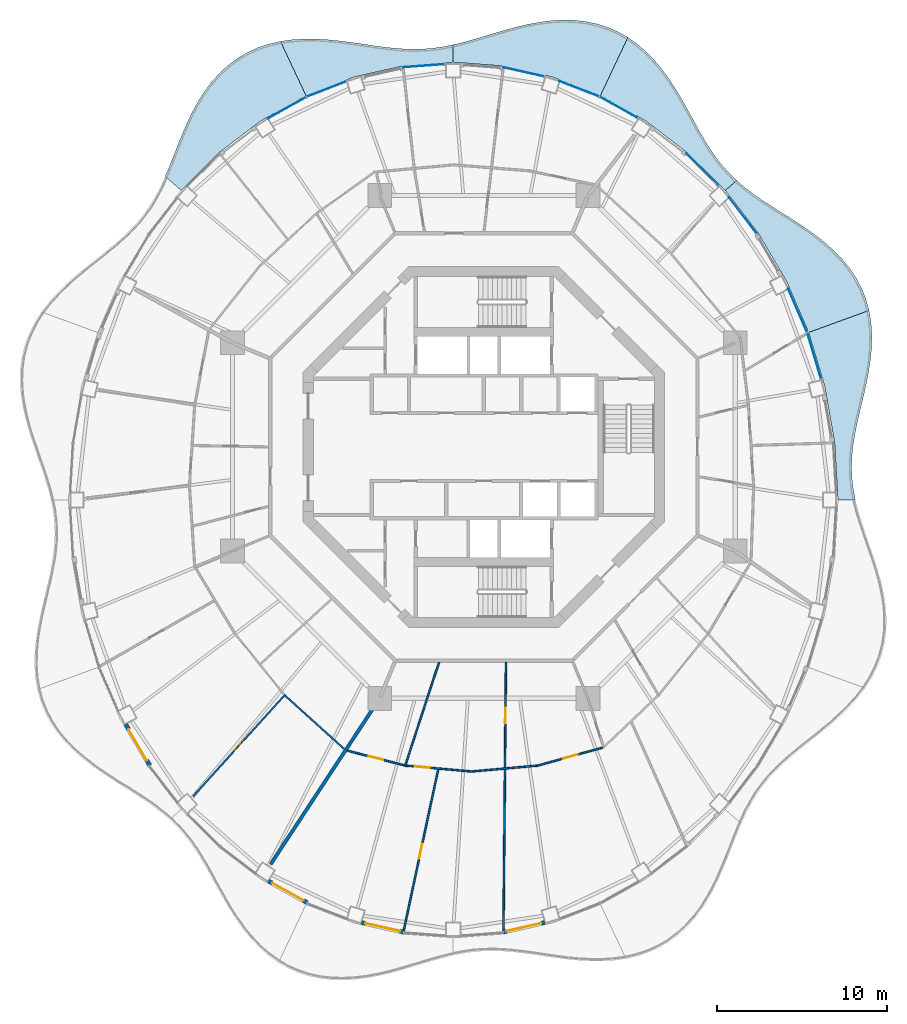
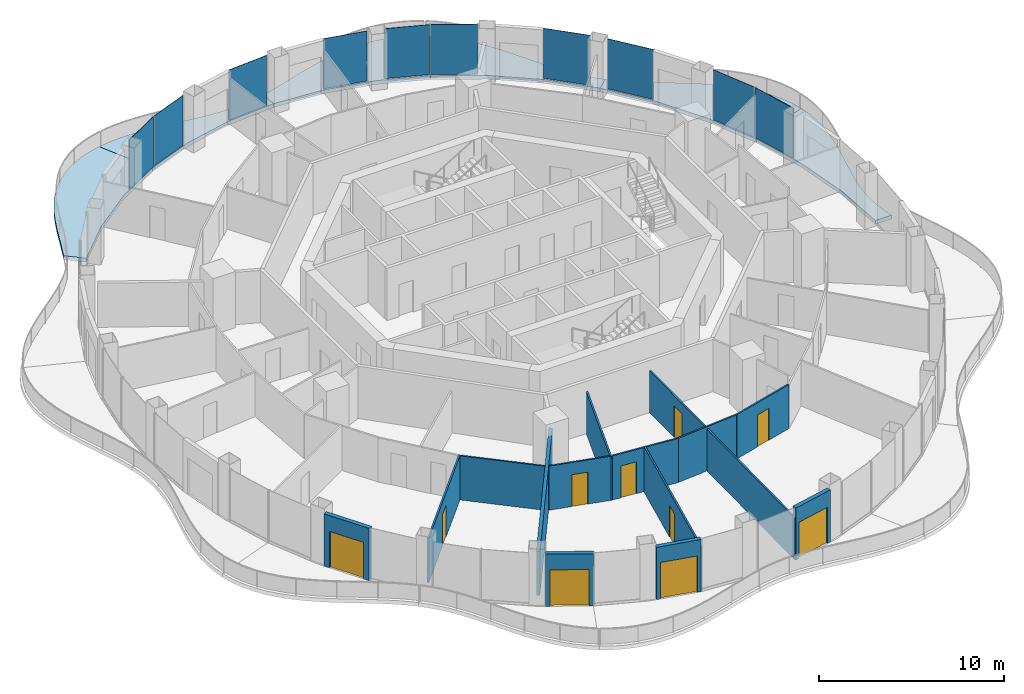
# One storey, part 9 of 17: 14 walls, 10 doors, 10 plates, 6 slabs, 10 openings, 10 elements without a shape of their own.
"""IFC4 building model written with IfcOpenShell, lengths in metres."""

from ifc_helpers import new_model, si_unit, direction, frame, frame_2d, origin, origin_2d, place, context, subcontext, project, spatial, polyline, rectangle, outline, extrude, material, layer, layer_set, type_object, element, fill, aggregate, save


model = new_model("IFC4")

# Units and contexts
model_context = context("Model", 3, precision=1e-05, world=origin(), true_north=direction((0.0, 1.0)))
body_context = subcontext(model_context, "Body", "Model", "MODEL_VIEW")
ifc_project = project(units=[si_unit("LENGTHUNIT", "METRE"), si_unit("AREAUNIT", "SQUARE_METRE"), si_unit("VOLUMEUNIT", "CUBIC_METRE"), si_unit("PLANEANGLEUNIT", "RADIAN"), si_unit("MASSUNIT", "GRAM", prefix="KILO")], contexts=[model_context])

# Site, building, storey
site_placement = place(None, origin())
site = spatial("IfcSite", under=ifc_project, at=site_placement, CompositionType="ELEMENT")
building_placement = place(site_placement, origin())
building = spatial("IfcBuilding", under=site, at=building_placement, Name="Nagisa Residences", CompositionType="ELEMENT")
storey_placement = place(building_placement, frame((0.0, 0.0, 265.89990234375)))
storey = spatial("IfcBuildingStorey", under=building, at=storey_placement, Name="L67", CompositionType="ELEMENT", Elevation=265.89990234375)

# Slabs
ifc_material_1 = material(Name="Concrete C40/50", Category="concrete")
ifc_layer_1 = layer(ifc_material_1, 0.25)
ifc_layer_set_1 = layer_set([ifc_layer_1], Name="BALCONY SLAB 250")
slab_type = type_object("IfcSlabType", Name="BALCONY SLAB 250", PredefinedType="FLOOR", material=ifc_layer_set_1)
slab_1_placement = place(storey_placement, frame((0.0, 0.0, -0.25)))
element("IfcSlab", 1, at=slab_1_placement, inside=storey, type_object=slab_type, Name="slab:L67:bal00", PredefinedType="FLOOR", context=body_context, shape_type="SweptSolid", body=[
    extrude(outline(polyline([(21.845458984375, -3.11767578125), (21.721923828125, -2.47021484375), (21.646240234375, -1.8251953125), (21.62109375, -1.178955078125), (21.6455078125, -0.52783203125), (21.716064453125, 0.1318359375), (21.82666015625, 0.802734375), (21.968505859375, 1.487060546875), (22.130615234375, 2.185791015625), (22.301025390625, 2.898681640625), (22.466552734375, 3.624267578125), (22.613525390625, 4.359619140625), (22.728515625, 5.101318359375), (22.799560546875, 5.844482421875), (22.815673828125, 6.58349609375), (22.767822265625, 7.3125), (22.6494140625, 8.025146484375), (19.09814453125, 6.732666015625), (20.04931640625, 3.544189453125), (20.62646484375, 0.241943359375), (20.820068359375, -3.11767578125), (21.845458984375, -3.11767578125)])), origin(), (0.0, 0.0, 1.0), 0.25),
])
slab_2_placement = place(storey_placement, frame((0.0, 0.0, -0.25)))
element("IfcSlab", 2, at=slab_2_placement, inside=storey, type_object=slab_type, Name="slab:L67:bal01", PredefinedType="FLOOR", context=body_context, shape_type="SweptSolid", body=[
    extrude(outline(polyline([(22.6494140625, 8.025146484375), (22.463623046875, 8.695068359375), (22.20703125, 9.33935546875), (21.880615234375, 9.9541015625), (21.48876953125, 10.5361328125), (21.036865234375, 11.083740234375), (20.533203125, 11.5966796875), (19.987060546875, 12.075927734375), (19.408935546875, 12.524169921875), (18.81005859375, 12.945068359375), (18.201171875, 13.34423828125), (17.593505859375, 13.72802734375), (16.996826171875, 14.103271484375), (16.419677734375, 14.477783203125), (15.86865234375, 14.859130859375), (15.348876953125, 15.254638671875), (14.86328125, 15.670654296875), (14.19482421875, 15.083251953125), (16.145751953125, 12.5517578125), (17.78955078125, 9.752197265625), (19.09814453125, 6.732666015625), (22.6494140625, 8.025146484375)])), origin(), (0.0, 0.0, 1.0), 0.25),
])
slab_3_placement = place(storey_placement, frame((0.0, 0.0, -0.25)))
element("IfcSlab", 3, at=slab_3_placement, inside=storey, type_object=slab_type, Name="slab:L67:bal02", PredefinedType="FLOOR", context=body_context, shape_type="SweptSolid", body=[
    extrude(outline(polyline([(14.86328125, 15.670654296875), (14.432373046875, 16.09130859375), (14.031494140625, 16.53955078125), (13.65771484375, 17.016845703125), (13.306396484375, 17.52392578125), (12.9716796875, 18.059814453125), (12.64697265625, 18.621337890625), (12.324951171875, 19.204345703125), (11.99755859375, 19.80224609375), (11.657958984375, 20.40771484375), (11.298583984375, 21.01220703125), (10.913330078125, 21.606201171875), (10.497314453125, 22.18017578125), (10.04638671875, 22.723876953125), (9.558349609375, 23.227783203125), (9.031982421875, 23.683349609375), (8.46826171875, 24.0830078125), (6.856201171875, 20.6630859375), (9.510009765625, 19.173828125), (11.97021484375, 17.30322265625), (14.19482421875, 15.083251953125), (14.86328125, 15.670654296875)])), origin(), (0.0, 0.0, 1.0), 0.25),
])
slab_4_placement = place(storey_placement, frame((0.0, 0.0, -0.25)))
element("IfcSlab", 4, at=slab_4_placement, inside=storey, type_object=slab_type, Name="slab:L67:bal03", PredefinedType="FLOOR", context=body_context, shape_type="SweptSolid", body=[
    extrude(outline(polyline([(8.46826171875, 24.0830078125), (7.8916015625, 24.40966796875), (7.28515625, 24.6748046875), (6.653076171875, 24.8759765625), (6.000244140625, 25.01318359375), (5.33154296875, 25.087890625), (4.65283203125, 25.103271484375), (3.969482421875, 25.064697265625), (3.28662109375, 24.978759765625), (2.608642578125, 24.85302734375), (1.93994140625, 24.69677734375), (1.28271484375, 24.51953125), (0.63916015625, 24.330810546875), (0.010009765625, 24.140625), (-0.605224609375, 23.958251953125), (-1.207763671875, 23.79150390625), (-1.800048828125, 23.64794921875), (-1.800048828125, 22.622314453125), (1.152587890625, 22.402099609375), (4.054443359375, 21.745361328125), (6.856201171875, 20.6630859375), (8.46826171875, 24.0830078125)])), origin(), (0.0, 0.0, 1.0), 0.25),
])
slab_5_placement = place(storey_placement, frame((0.0, 0.0, -0.25)))
element("IfcSlab", 5, at=slab_5_placement, inside=storey, type_object=slab_type, Name="slab:L67:bal04", PredefinedType="FLOOR", context=body_context, shape_type="SweptSolid", body=[
    extrude(outline(polyline([(-1.800048828125, 23.64794921875), (-2.385009765625, 23.53271484375), (-2.96630859375, 23.4501953125), (-3.547607421875, 23.40185546875), (-4.1328125, 23.387939453125), (-4.725341796875, 23.406494140625), (-5.32861328125, 23.45361328125), (-5.94482421875, 23.524169921875), (-6.5751953125, 23.611328125), (-7.220458984375, 23.70654296875), (-7.8798828125, 23.80126953125), (-8.551513671875, 23.885986328125), (-9.232421875, 23.951416015625), (-9.918701171875, 23.988525390625), (-10.60546875, 23.988525390625), (-11.287353515625, 23.9443359375), (-11.958251953125, 23.849609375), (-10.456298828125, 20.6630859375), (-7.654541015625, 21.745361328125), (-4.75244140625, 22.402099609375), (-1.800048828125, 22.622314453125), (-1.800048828125, 23.64794921875)])), origin(), (0.0, 0.0, 1.0), 0.25),
])
slab_6_placement = place(storey_placement, frame((0.0, 0.0, -0.25)))
element("IfcSlab", 6, at=slab_6_placement, inside=storey, type_object=slab_type, Name="slab:L67:bal05", PredefinedType="FLOOR", context=body_context, shape_type="SweptSolid", body=[
    extrude(outline(polyline([(-11.958251953125, 23.849609375), (-12.63671875, 23.69287109375), (-13.29052734375, 23.47314453125), (-13.913818359375, 23.189208984375), (-14.50146484375, 22.841552734375), (-15.048828125, 22.43310546875), (-15.5537109375, 21.968017578125), (-16.0146484375, 21.45263671875), (-16.43212890625, 20.89404296875), (-16.807861328125, 20.30078125), (-17.145751953125, 19.681396484375), (-17.450927734375, 19.045654296875), (-17.7294921875, 18.402099609375), (-17.98876953125, 17.75927734375), (-18.237060546875, 17.125244140625), (-18.482177734375, 16.506103515625), (-18.732666015625, 15.907470703125), (-17.794677734375, 15.083251953125), (-15.570068359375, 17.30322265625), (-13.110107421875, 19.173828125), (-10.456298828125, 20.6630859375), (-11.958251953125, 23.849609375)])), origin(), (0.0, 0.0, 1.0), 0.25),
])

# Curtain wall, plate
ifc_material_2 = material(Name="Concrete-coloured aluminium curtain wall system", Category="concrete")
ifc_layer_2 = layer(ifc_material_2, 0.159912109375)
ifc_layer_set_2 = layer_set([ifc_layer_2], Name="CW1 CURTAIN WALL")
curtain_wall_type = type_object("IfcCurtainWallType", Name="CW1 CURTAIN WALL", PredefinedType="NOTDEFINED", material=ifc_layer_set_2)
curtain_wall_1_placement = place(storey_placement, origin())
curtain_wall_1 = element("IfcCurtainWall", 7, at=curtain_wall_1_placement, inside=storey, type_object=curtain_wall_type, Name="cw:CW1:L67:02", PredefinedType="NOTDEFINED")
ifc_material_3 = material(Name="Clear laminated glass", Category="glass")
ifc_layer_3 = layer(ifc_material_3, 0.028076171875)
ifc_layer_set_3 = layer_set([ifc_layer_3], Name="CW1 GLASS PANEL")
plate_type = type_object("IfcPlateType", Name="CW1 GLASS PANEL", PredefinedType="CURTAIN_PANEL", material=ifc_layer_set_3)
plate_1_placement = place(storey_placement, frame((19.424072265625, 5.35986328125, 0.150146484375), z_axis=(0.0, 0.0, 1.0), x_axis=(-0.285860274038, 0.958271310082, 0.0)))
plate_1 = element("IfcPlate", 8, at=plate_1_placement, type_object=plate_type, Name="CW1 panel", PredefinedType="CURTAIN_PANEL", context=body_context, shape_type="SweptSolid", body=[
    extrude(rectangle(XDim=2.817138671875, YDim=0.028076171875, at=origin_2d()), origin(), (0.0, 0.0, 1.0), 3.2900390625),
])
aggregate(curtain_wall_1, [plate_1])

curtain_wall_2_placement = place(storey_placement, origin())
curtain_wall_2 = element("IfcCurtainWall", 9, at=curtain_wall_2_placement, inside=storey, type_object=curtain_wall_type, Name="cw:CW1:L67:03", PredefinedType="NOTDEFINED")
plate_2_placement = place(storey_placement, frame((18.447998046875, 8.03173828125, 0.150146484375), z_axis=(0.0, 0.0, 1.0), x_axis=(-0.397635934147, 0.917543276295, 0.0)))
plate_2 = element("IfcPlate", 10, at=plate_2_placement, type_object=plate_type, Name="CW1 panel", PredefinedType="CURTAIN_PANEL", context=body_context, shape_type="SweptSolid", body=[
    extrude(rectangle(XDim=2.781005859375, YDim=0.028076171875, at=origin_2d()), origin(), (0.0, 0.0, 1.0), 3.2900390625),
])
aggregate(curtain_wall_2, [plate_2])

curtain_wall_3_placement = place(storey_placement, origin())
curtain_wall_3 = element("IfcCurtainWall", 11, at=curtain_wall_3_placement, inside=storey, type_object=curtain_wall_type, Name="cw:CW1:L67:05", PredefinedType="NOTDEFINED")
plate_3_placement = place(storey_placement, frame((15.225830078125, 13.6142578125, 0.150146484375), z_axis=(0.0, 0.0, 1.0), x_axis=(-0.610429828235, 0.792070340816, 0.0)))
plate_3 = element("IfcPlate", 12, at=plate_3_placement, type_object=plate_type, Name="CW1 panel", PredefinedType="CURTAIN_PANEL", context=body_context, shape_type="SweptSolid", body=[
    extrude(rectangle(XDim=2.68603515625, YDim=0.028076171875, at=origin_2d()), origin(), (0.0, 0.0, 1.0), 3.2900390625),
])
aggregate(curtain_wall_3, [plate_3])

curtain_wall_4_placement = place(storey_placement, origin())
curtain_wall_4 = element("IfcCurtainWall", 13, at=curtain_wall_4_placement, inside=storey, type_object=curtain_wall_type, Name="cw:CW1:L67:06", PredefinedType="NOTDEFINED")
plate_4_placement = place(storey_placement, frame((12.845458984375, 16.316650390625, 0.150146484375), z_axis=(0.0, 0.0, 1.0), x_axis=(-0.707835924016, 0.706376885714, 0.0)))
plate_4 = element("IfcPlate", 14, at=plate_4_placement, type_object=plate_type, Name="CW1 panel", PredefinedType="CURTAIN_PANEL", context=body_context, shape_type="SweptSolid", body=[
    extrude(rectangle(XDim=2.6328125, YDim=0.028076171875, at=origin_2d()), origin(), (0.0, 0.0, 1.0), 3.2900390625),
])
aggregate(curtain_wall_4, [plate_4])

curtain_wall_5_placement = place(storey_placement, origin())
curtain_wall_5 = element("IfcCurtainWall", 15, at=curtain_wall_5_placement, inside=storey, type_object=curtain_wall_type, Name="cw:CW1:L67:08", PredefinedType="NOTDEFINED")
plate_5_placement = place(storey_placement, frame((7.921630859375, 19.973388671875, 0.150146484375), z_axis=(0.0, 0.0, 1.0), x_axis=(-0.872072377523, 0.489376918501, 0.0)))
plate_5 = element("IfcPlate", 16, at=plate_5_placement, type_object=plate_type, Name="CW1 panel", PredefinedType="CURTAIN_PANEL", context=body_context, shape_type="SweptSolid", body=[
    extrude(rectangle(XDim=2.532958984375, YDim=0.028076171875, at=origin_2d()), origin(), (0.0, 0.0, 1.0), 3.2900390625),
])
aggregate(curtain_wall_5, [plate_5])

curtain_wall_6_placement = place(storey_placement, origin())
curtain_wall_6 = element("IfcCurtainWall", 17, at=curtain_wall_6_placement, inside=storey, type_object=curtain_wall_type, Name="cw:CW1:L67:09", PredefinedType="NOTDEFINED")
plate_6_placement = place(storey_placement, frame((5.6083984375, 21.059326171875, 0.150146484375), z_axis=(0.0, 0.0, 1.0), x_axis=(-0.932825759707, 0.360327770268, 0.0)))
plate_6 = element("IfcPlate", 18, at=plate_6_placement, type_object=plate_type, Name="CW1 panel", PredefinedType="CURTAIN_PANEL", context=body_context, shape_type="SweptSolid", body=[
    extrude(rectangle(XDim=2.49365234375, YDim=0.028076171875, at=origin_2d()), origin(), (0.0, 0.0, 1.0), 3.2900390625),
])
aggregate(curtain_wall_6, [plate_6])

curtain_wall_7_placement = place(storey_placement, origin())
curtain_wall_7 = element("IfcCurtainWall", 19, at=curtain_wall_7_placement, inside=storey, type_object=curtain_wall_type, Name="cw:CW1:L67:10", PredefinedType="NOTDEFINED")
plate_7_placement = place(storey_placement, frame((2.337158203125, 22.052001953125, 0.150146484375), z_axis=(0.0, 0.0, 1.0), x_axis=(-0.975327274089, 0.2207639201, 0.0)))
plate_7 = element("IfcPlate", 20, at=plate_7_placement, type_object=plate_type, Name="CW1 panel", PredefinedType="CURTAIN_PANEL", context=body_context, shape_type="SweptSolid", body=[
    extrude(rectangle(XDim=2.46533203125, YDim=0.028076171875, at=origin_2d()), origin(), (0.0, 0.0, 1.0), 3.2900390625),
])
aggregate(curtain_wall_7, [plate_7])

curtain_wall_8_placement = place(storey_placement, origin())
curtain_wall_8 = element("IfcCurtainWall", 21, at=curtain_wall_8_placement, inside=storey, type_object=curtain_wall_type, Name="cw:CW1:L67:12", PredefinedType="NOTDEFINED")
plate_8_placement = place(storey_placement, frame((-3.524658203125, 22.41357421875, 0.150146484375), z_axis=(0.0, 0.0, 1.0), x_axis=(-0.997230168512, -0.074377355493, 0.0)))
plate_8 = element("IfcPlate", 22, at=plate_8_placement, type_object=plate_type, Name="CW1 panel", PredefinedType="CURTAIN_PANEL", context=body_context, shape_type="SweptSolid", body=[
    extrude(rectangle(XDim=2.45068359375, YDim=0.028076171875, at=origin_2d()), origin(), (0.0, 0.0, 1.0), 3.2900390625),
])
aggregate(curtain_wall_8, [plate_8])

curtain_wall_9_placement = place(storey_placement, origin())
curtain_wall_9 = element("IfcCurtainWall", 23, at=curtain_wall_9_placement, inside=storey, type_object=curtain_wall_type, Name="cw:CW1:L67:14", PredefinedType="NOTDEFINED")
plate_9_placement = place(storey_placement, frame((-9.264404296875, 21.03759765625, 0.150146484375), z_axis=(0.0, 0.0, 1.0), x_axis=(-0.932825759707, -0.360327770268, 0.0)))
plate_9 = element("IfcPlate", 24, at=plate_9_placement, type_object=plate_type, Name="CW1 panel", PredefinedType="CURTAIN_PANEL", context=body_context, shape_type="SweptSolid", body=[
    extrude(rectangle(XDim=2.49365234375, YDim=0.028076171875, at=origin_2d()), origin(), (0.0, 0.0, 1.0), 3.2900390625),
])
aggregate(curtain_wall_9, [plate_9])

curtain_wall_10_placement = place(storey_placement, origin())
curtain_wall_10 = element("IfcCurtainWall", 25, at=curtain_wall_10_placement, inside=storey, type_object=curtain_wall_type, Name="cw:CW1:L67:15", PredefinedType="NOTDEFINED")
plate_10_placement = place(storey_placement, frame((-11.573974609375, 19.944091796875, 0.150146484375), z_axis=(0.0, 0.0, 1.0), x_axis=(-0.872072377523, -0.489376918501, 0.0)))
plate_10 = element("IfcPlate", 26, at=plate_10_placement, type_object=plate_type, Name="CW1 panel", PredefinedType="CURTAIN_PANEL", context=body_context, shape_type="SweptSolid", body=[
    extrude(rectangle(XDim=2.532958984375, YDim=0.028076171875, at=origin_2d()), origin(), (0.0, 0.0, 1.0), 3.2900390625),
])
aggregate(curtain_wall_10, [plate_10])

# Wall
ifc_material_4 = material(Name="Gypsum board on steel studs", Category="steel")
ifc_layer_4 = layer(ifc_material_4, 0.199951171875)
ifc_layer_set_4 = layer_set([ifc_layer_4], Name="Apartment compartment wall EI60 200")
wall_type_1 = type_object("IfcWallType", Name="Apartment compartment wall EI60 200", PredefinedType="PARTITIONING", material=ifc_layer_set_4)
wall_1_placement = place(storey_placement, frame((-6.150634765625, -14.82373046875, 0.0), z_axis=(0.0, 0.0, 1.0), x_axis=(-0.549345577828, -0.835595258556, 0.0)))
element("IfcWall", 27, at=wall_1_placement, inside=storey, type_object=wall_type_1, Name="wall:L67:u05", PredefinedType="PARTITIONING", context=body_context, shape_type="SweptSolid", body=[
    extrude(rectangle(XDim=11.619873046875, YDim=0.199951171875, at=frame_2d((5.81005859375, 0.0))), origin(), (0.0, 0.0, 1.0), 2.905029296875),
])

# Wall, opening, door
ifc_material_5 = material(Name="Gypsum board on steel studs", Category="steel")
ifc_layer_5 = layer(ifc_material_5, 0.10009765625)
ifc_layer_set_5 = layer_set([ifc_layer_5], Name="Apartment partition 100")
wall_type_2 = type_object("IfcWallType", Name="Apartment partition 100", PredefinedType="PARTITIONING", material=ifc_layer_set_5)
wall_2_placement = place(storey_placement, frame((-11.67919921875, -14.55712890625, 0.0), z_axis=(0.0, 0.0, 1.0), x_axis=(-0.670800011545, -0.741638284146, 0.0)))
wall_2 = element("IfcWall", 28, at=wall_2_placement, inside=storey, type_object=wall_type_2, Name="wall:L67:u52", PredefinedType="PARTITIONING", context=body_context, shape_type="SweptSolid", body=[
    extrude(rectangle(XDim=8.068115234375, YDim=0.10009765625, at=frame_2d((4.0341796875, 0.0))), origin(), (0.0, 0.0, 1.0), 2.905029296875),
])
opening_1_placement = place(wall_2_placement, frame((3.609130859375, 0.0, 0.0)))
opening_1 = element("IfcOpeningElement", 29, at=opening_1_placement, cuts=wall_2, Name="Opening L67-U25", PredefinedType="OPENING", context=body_context, shape_type="SweptSolid", body=[
    extrude(rectangle(XDim=0.89990234375, YDim=2.10009765625, at=frame_2d((0.449951171875, 1.050048828125))), frame((0.0, 0.06005859375, 0.0), z_axis=(0.0, -1.0, 0.0), x_axis=(1.0, 0.0, 0.0)), (0.0, 0.0, 1.0), 0.1201171875),
])
ifc_material_6 = material(Name="Timber door set", Category="wood")
door_type_1 = type_object("IfcDoorType", Name="Apartment door 900x2100", OperationType="NOTDEFINED", PredefinedType="DOOR", material=ifc_material_6)
door_1_placement = place(opening_1_placement, origin())
door_1 = element("IfcDoor", 30, at=door_1_placement, inside=storey, type_object=door_type_1, Name="Door to master bedroom, Apartment 67C", OperationType="SINGLE_SWING_LEFT", OverallHeight=2.10009765625, OverallWidth=0.89990234375, PredefinedType="DOOR", context=body_context, shape_type="SweptSolid", body=[
    extrude(rectangle(XDim=0.89990234375, YDim=2.10009765625, at=frame_2d((0.449951171875, 1.050048828125))), frame((0.0, 0.02490234375, 0.0), z_axis=(0.0, -1.0, 0.0), x_axis=(1.0, 0.0, 0.0)), (0.0, 0.0, 1.0), 0.050048828125),
])
fill(opening_1, door_1)

# Wall
wall_3_placement = place(storey_placement, frame((-11.675537109375, -14.627685546875, 0.0), z_axis=(0.0, 0.0, 1.0), x_axis=(0.74245829867, -0.669892285921, 0.0)))
element("IfcWall", 31, at=wall_3_placement, inside=storey, type_object=wall_type_2, Name="wall:L67:u53", PredefinedType="PARTITIONING", context=body_context, shape_type="SweptSolid", body=[
    extrude(rectangle(XDim=4.679931640625, YDim=0.10009765625, at=frame_2d((2.33984375, 0.0))), origin(), (0.0, 0.0, 1.0), 2.905029296875),
])

# Wall, opening, door
wall_4_placement = place(storey_placement, frame((-8.02978515625, -17.8544921875, 0.0), z_axis=(0.0, 0.0, 1.0), x_axis=(0.968441967324, -0.249239154077, 0.0)))
wall_4 = element("IfcWall", 32, at=wall_4_placement, inside=storey, type_object=wall_type_2, Name="wall:L67:u54", PredefinedType="PARTITIONING", context=body_context, shape_type="SweptSolid", body=[
    extrude(rectangle(XDim=3.467529296875, YDim=0.10009765625, at=frame_2d((1.73388671875, 0.0))), origin(), (0.0, 0.0, 1.0), 2.905029296875),
])
opening_2_placement = place(wall_4_placement, frame((1.28369140625, 0.0, 0.0)))
opening_2 = element("IfcOpeningElement", 33, at=opening_2_placement, cuts=wall_4, Name="Opening L67-U38", PredefinedType="OPENING", context=body_context, shape_type="SweptSolid", body=[
    extrude(rectangle(XDim=0.89990234375, YDim=2.10009765625, at=frame_2d((0.449951171875, 1.050048828125))), frame((0.0, 0.06005859375, 0.0), z_axis=(0.0, -1.0, 0.0), x_axis=(1.0, 0.0, 0.0)), (0.0, 0.0, 1.0), 0.1201171875),
])
door_2_placement = place(opening_2_placement, origin())
door_2 = element("IfcDoor", 34, at=door_2_placement, inside=storey, type_object=door_type_1, Name="Door to laundry, Apartment 67D", OperationType="SINGLE_SWING_RIGHT", OverallHeight=2.10009765625, OverallWidth=0.89990234375, PredefinedType="DOOR", context=body_context, shape_type="SweptSolid", body=[
    extrude(rectangle(XDim=0.89990234375, YDim=2.10009765625, at=frame_2d((0.449951171875, 1.050048828125))), frame((0.0, 0.02490234375, 0.0), z_axis=(0.0, -1.0, 0.0), x_axis=(1.0, 0.0, 0.0)), (0.0, 0.0, 1.0), 0.050048828125),
])
fill(opening_2, door_2)

# Wall
wall_5_placement = place(storey_placement, frame((-2.63330078125, -12.65966796875, 0.0), z_axis=(0.0, 0.0, 1.0), x_axis=(-0.311435053715, -0.950267439891, 0.0)))
element("IfcWall", 35, at=wall_5_placement, inside=storey, type_object=wall_type_2, Name="wall:L67:u55", PredefinedType="PARTITIONING", context=body_context, shape_type="SweptSolid", body=[
    extrude(rectangle(XDim=6.439208984375, YDim=0.10009765625, at=frame_2d((3.2197265625, 0.0))), origin(), (0.0, 0.0, 1.0), 2.76220703125),
])

# Wall, opening, door
wall_6_placement = place(storey_placement, frame((-4.5732421875, -18.735595703125, 0.0), z_axis=(0.0, 0.0, 1.0), x_axis=(0.995984610732, -0.089524606594, 0.0)))
wall_6 = element("IfcWall", 36, at=wall_6_placement, inside=storey, type_object=wall_type_2, Name="wall:L67:u56", PredefinedType="PARTITIONING", context=body_context, shape_type="SweptSolid", body=[
    extrude(rectangle(XDim=3.918701171875, YDim=0.10009765625, at=frame_2d((1.95947265625, 0.0))), origin(), (0.0, 0.0, 1.0), 2.905029296875),
])
opening_3_placement = place(wall_6_placement, frame((0.504638671875, 0.0, 0.0)))
opening_3 = element("IfcOpeningElement", 37, at=opening_3_placement, cuts=wall_6, Name="Opening L67-U36", PredefinedType="OPENING", context=body_context, shape_type="SweptSolid", body=[
    extrude(rectangle(XDim=0.89990234375, YDim=2.10009765625, at=frame_2d((0.449951171875, 1.050048828125))), frame((0.0, 0.06005859375, 0.0), z_axis=(0.0, -1.0, 0.0), x_axis=(1.0, 0.0, 0.0)), (0.0, 0.0, 1.0), 0.1201171875),
])
door_3_placement = place(opening_3_placement, frame((0.89990234375, 0.0, 0.0), x_axis=(-1.0, 0.0, 0.0)))
door_3 = element("IfcDoor", 38, at=door_3_placement, inside=storey, type_object=door_type_1, Name="Door to living room, Apartment 67D", OperationType="SINGLE_SWING_LEFT", OverallHeight=2.10009765625, OverallWidth=0.89990234375, PredefinedType="DOOR", context=body_context, shape_type="SweptSolid", body=[
    extrude(rectangle(XDim=0.89990234375, YDim=2.10009765625, at=frame_2d((0.449951171875, 1.050048828125))), frame((0.0, 0.02490234375, 0.0), z_axis=(0.0, -1.0, 0.0), x_axis=(1.0, 0.0, 0.0)), (0.0, 0.0, 1.0), 0.050048828125),
])
fill(opening_3, door_3)

wall_7_placement = place(storey_placement, frame((-2.68212890625, -18.955322265625, 0.0), z_axis=(0.0, 0.0, 1.0), x_axis=(-0.209106370979, -0.977892900892, 0.0)))
wall_7 = element("IfcWall", 39, at=wall_7_placement, inside=storey, type_object=wall_type_2, Name="wall:L67:u57", PredefinedType="PARTITIONING", context=body_context, shape_type="SweptSolid", body=[
    extrude(rectangle(XDim=9.861083984375, YDim=0.10009765625, at=frame_2d((4.9306640625, 0.0))), origin(), (0.0, 0.0, 1.0), 2.983154296875),
])
opening_4_placement = place(wall_7_placement, frame((4.48046875, 0.0, 0.0)))
opening_4 = element("IfcOpeningElement", 40, at=opening_4_placement, cuts=wall_7, Name="Opening L67-U37", PredefinedType="OPENING", context=body_context, shape_type="SweptSolid", body=[
    extrude(rectangle(XDim=0.89990234375, YDim=2.10009765625, at=frame_2d((0.449951171875, 1.050048828125))), frame((0.0, 0.06005859375, 0.0), z_axis=(0.0, -1.0, 0.0), x_axis=(1.0, 0.0, 0.0)), (0.0, 0.0, 1.0), 0.1201171875),
])
door_4_placement = place(opening_4_placement, origin())
door_4 = element("IfcDoor", 41, at=door_4_placement, inside=storey, type_object=door_type_1, Name="Door to master bedroom, Apartment 67D", OperationType="SINGLE_SWING_LEFT", OverallHeight=2.10009765625, OverallWidth=0.89990234375, PredefinedType="DOOR", context=body_context, shape_type="SweptSolid", body=[
    extrude(rectangle(XDim=0.89990234375, YDim=2.10009765625, at=frame_2d((0.449951171875, 1.050048828125))), frame((0.0, 0.02490234375, 0.0), z_axis=(0.0, -1.0, 0.0), x_axis=(1.0, 0.0, 0.0)), (0.0, 0.0, 1.0), 0.050048828125),
])
fill(opening_4, door_4)

# Wall
wall_8_placement = place(storey_placement, frame((-0.670166015625, -19.077392578125, 0.0), z_axis=(0.0, 0.0, 1.0), x_axis=(0.995986472869, 0.089503887414, 0.0)))
element("IfcWall", 42, at=wall_8_placement, inside=storey, type_object=wall_type_2, Name="wall:L67:u58", PredefinedType="PARTITIONING", context=body_context, shape_type="SweptSolid", body=[
    extrude(rectangle(XDim=3.81884765625, YDim=0.10009765625, at=frame_2d((1.909423828125, 0.0))), origin(), (0.0, 0.0, 1.0), 2.905029296875),
])

# Wall, opening, door
wall_9_placement = place(storey_placement, frame((1.30029296875, -12.664794921875, 0.0), z_axis=(0.0, 0.0, 1.0), x_axis=(-0.009254890166, -0.999957172587, 0.0)))
wall_9 = element("IfcWall", 43, at=wall_9_placement, inside=storey, type_object=wall_type_2, Name="wall:L67:u59", PredefinedType="PARTITIONING", context=body_context, shape_type="SweptSolid", body=[
    extrude(rectangle(XDim=15.933349609375, YDim=0.10009765625, at=frame_2d((7.966796875, 0.0))), origin(), (0.0, 0.0, 1.0), 2.76220703125),
])
opening_5_placement = place(wall_9_placement, frame((2.671142578125, 0.0, 0.0)))
opening_5 = element("IfcOpeningElement", 44, at=opening_5_placement, cuts=wall_9, Name="Opening L67-U35", PredefinedType="OPENING", context=body_context, shape_type="SweptSolid", body=[
    extrude(rectangle(XDim=0.89990234375, YDim=2.10009765625, at=frame_2d((0.449951171875, 1.050048828125))), frame((0.0, 0.06005859375, 0.0), z_axis=(0.0, -1.0, 0.0), x_axis=(1.0, 0.0, 0.0)), (0.0, 0.0, 1.0), 0.1201171875),
])
door_5_placement = place(opening_5_placement, frame((0.89990234375, 0.0, 0.0), x_axis=(-1.0, 0.0, 0.0)))
door_5 = element("IfcDoor", 45, at=door_5_placement, inside=storey, type_object=door_type_1, Name="Door to store, Apartment 67D", OperationType="SINGLE_SWING_RIGHT", OverallHeight=2.10009765625, OverallWidth=0.89990234375, PredefinedType="DOOR", context=body_context, shape_type="SweptSolid", body=[
    extrude(rectangle(XDim=0.89990234375, YDim=2.10009765625, at=frame_2d((0.449951171875, 1.050048828125))), frame((0.0, 0.02490234375, 0.0), z_axis=(0.0, -1.0, 0.0), x_axis=(1.0, 0.0, 0.0)), (0.0, 0.0, 1.0), 0.050048828125),
])
fill(opening_5, door_5)

wall_10_placement = place(storey_placement, frame((3.135009765625, -18.744384765625, 0.0), z_axis=(0.0, 0.0, 1.0), x_axis=(0.963606111552, 0.267326133738, 0.0)))
wall_10 = element("IfcWall", 46, at=wall_10_placement, inside=storey, type_object=wall_type_2, Name="wall:L67:u60", PredefinedType="PARTITIONING", context=body_context, shape_type="SweptSolid", body=[
    extrude(rectangle(XDim=4.0029296875, YDim=0.10009765625, at=frame_2d((2.00146484375, 0.0))), origin(), (0.0, 0.0, 1.0), 2.905029296875),
])
opening_6_placement = place(wall_10_placement, frame((1.576416015625, 0.0, 0.0)))
opening_6 = element("IfcOpeningElement", 47, at=opening_6_placement, cuts=wall_10, Name="Opening L67-U34", PredefinedType="OPENING", context=body_context, shape_type="SweptSolid", body=[
    extrude(rectangle(XDim=0.89990234375, YDim=2.10009765625, at=frame_2d((0.449951171875, 1.050048828125))), frame((0.0, 0.06005859375, 0.0), z_axis=(0.0, -1.0, 0.0), x_axis=(1.0, 0.0, 0.0)), (0.0, 0.0, 1.0), 0.1201171875),
])
door_6_placement = place(opening_6_placement, frame((0.89990234375, 0.0, 0.0), x_axis=(-1.0, 0.0, 0.0)))
door_6 = element("IfcDoor", 48, at=door_6_placement, inside=storey, type_object=door_type_1, Name="Door to family room, Apartment 67D", OperationType="SINGLE_SWING_LEFT", OverallHeight=2.10009765625, OverallWidth=0.89990234375, PredefinedType="DOOR", context=body_context, shape_type="SweptSolid", body=[
    extrude(rectangle(XDim=0.89990234375, YDim=2.10009765625, at=frame_2d((0.449951171875, 1.050048828125))), frame((0.0, 0.02490234375, 0.0), z_axis=(0.0, -1.0, 0.0), x_axis=(1.0, 0.0, 0.0)), (0.0, 0.0, 1.0), 0.050048828125),
])
fill(opening_6, door_6)

ifc_material_7 = material(Name="Precast concrete C40/50", Category="concrete")
ifc_layer_6 = layer(ifc_material_7, 0.25)
ifc_layer_set_6 = layer_set([ifc_layer_6], Name="BALCONY DOOR WALL 250")
wall_type_3 = type_object("IfcWallType", Name="BALCONY DOOR WALL 250", PredefinedType="SOLIDWALL", material=ifc_layer_set_6)
wall_11_placement = place(storey_placement, frame((-19.637939453125, -18.723876953125, 0.0), z_axis=(0.0, 0.0, 1.0), x_axis=(-0.506371364425, 0.862315511452, 0.0)))
wall_11 = element("IfcWall", 49, at=wall_11_placement, inside=storey, type_object=wall_type_3, Name="wall:L67:bay28", PredefinedType="SOLIDWALL", context=body_context, shape_type="SweptSolid", body=[
    extrude(rectangle(XDim=2.79638671875, YDim=0.25, at=frame_2d((1.398193359375, 0.0))), origin(), (0.0, 0.0, 1.0), 3.440185546875),
])
opening_7_placement = place(wall_11_placement, frame((0.34814453125, 0.0, 0.0)))
opening_7 = element("IfcOpeningElement", 50, at=opening_7_placement, cuts=wall_11, Name="Opening BD-L67-10", PredefinedType="OPENING", context=body_context, shape_type="SweptSolid", body=[
    extrude(rectangle(XDim=2.10009765625, YDim=2.39990234375, at=frame_2d((1.050048828125, 1.199951171875))), frame((0.0, 0.135009765625, 0.0), z_axis=(0.0, -1.0, 0.0), x_axis=(1.0, 0.0, 0.0)), (0.0, 0.0, 1.0), 0.27001953125),
])
ifc_material_8 = material(Name="Aluminium and clear glass", Category="aluminium")
door_type_2 = type_object("IfcDoorType", Name="BALCONY SLIDING DOOR 2100x2400", OperationType="SLIDING_TO_LEFT", PredefinedType="DOOR", material=ifc_material_8)
door_7_placement = place(opening_7_placement, origin())
door_7 = element("IfcDoor", 51, at=door_7_placement, inside=storey, type_object=door_type_2, Name="door:L67:bay28", OperationType="SLIDING_TO_LEFT", OverallHeight=2.39990234375, OverallWidth=2.10009765625, PredefinedType="DOOR", context=body_context, shape_type="SweptSolid", body=[
    extrude(rectangle(XDim=2.10009765625, YDim=2.39990234375, at=frame_2d((1.050048828125, 1.199951171875))), frame((0.0, 0.02490234375, 0.0), z_axis=(0.0, -1.0, 0.0), x_axis=(1.0, 0.0, 0.0)), (0.0, 0.0, 1.0), 0.050048828125),
])
fill(opening_7, door_7)

wall_12_placement = place(storey_placement, frame((-10.39501953125, -26.789306640625, 0.0), z_axis=(0.0, 0.0, 1.0), x_axis=(-0.872115604046, 0.489299880625, 0.0)))
wall_12 = element("IfcWall", 52, at=wall_12_placement, inside=storey, type_object=wall_type_3, Name="wall:L67:bay32", PredefinedType="SOLIDWALL", context=body_context, shape_type="SweptSolid", body=[
    extrude(rectangle(XDim=2.593017578125, YDim=0.25, at=frame_2d((1.29638671875, 0.0))), origin(), (0.0, 0.0, 1.0), 3.440185546875),
])
opening_8_placement = place(wall_12_placement, frame((0.24658203125, 0.0, 0.0)))
opening_8 = element("IfcOpeningElement", 53, at=opening_8_placement, cuts=wall_12, Name="Opening BD-L67-11", PredefinedType="OPENING", context=body_context, shape_type="SweptSolid", body=[
    extrude(rectangle(XDim=2.10009765625, YDim=2.39990234375, at=frame_2d((1.050048828125, 1.199951171875))), frame((0.0, 0.135009765625, 0.0), z_axis=(0.0, -1.0, 0.0), x_axis=(1.0, 0.0, 0.0)), (0.0, 0.0, 1.0), 0.27001953125),
])
door_8_placement = place(opening_8_placement, origin())
door_8 = element("IfcDoor", 54, at=door_8_placement, inside=storey, type_object=door_type_2, Name="door:L67:bay32", OperationType="SLIDING_TO_LEFT", OverallHeight=2.39990234375, OverallWidth=2.10009765625, PredefinedType="DOOR", context=body_context, shape_type="SweptSolid", body=[
    extrude(rectangle(XDim=2.10009765625, YDim=2.39990234375, at=frame_2d((1.050048828125, 1.199951171875))), frame((0.0, 0.02490234375, 0.0), z_axis=(0.0, -1.0, 0.0), x_axis=(1.0, 0.0, 0.0)), (0.0, 0.0, 1.0), 0.050048828125),
])
fill(opening_8, door_8)

wall_13_placement = place(storey_placement, frame((-4.724853515625, -28.515625, 0.0), z_axis=(0.0, 0.0, 1.0), x_axis=(-0.975319584032, 0.220797891756, 0.0)))
wall_13 = element("IfcWall", 55, at=wall_13_placement, inside=storey, type_object=wall_type_3, Name="wall:L67:bay34", PredefinedType="SOLIDWALL", context=body_context, shape_type="SweptSolid", body=[
    extrude(rectangle(XDim=2.525390625, YDim=0.25, at=frame_2d((1.2626953125, 0.0))), origin(), (0.0, 0.0, 1.0), 3.440185546875),
])
opening_9_placement = place(wall_13_placement, frame((0.212646484375, 0.0, 0.0)))
opening_9 = element("IfcOpeningElement", 56, at=opening_9_placement, cuts=wall_13, Name="Opening BD-L67-12", PredefinedType="OPENING", context=body_context, shape_type="SweptSolid", body=[
    extrude(rectangle(XDim=2.10009765625, YDim=2.39990234375, at=frame_2d((1.050048828125, 1.199951171875))), frame((0.0, 0.135009765625, 0.0), z_axis=(0.0, -1.0, 0.0), x_axis=(1.0, 0.0, 0.0)), (0.0, 0.0, 1.0), 0.27001953125),
])
door_9_placement = place(opening_9_placement, origin())
door_9 = element("IfcDoor", 57, at=door_9_placement, inside=storey, type_object=door_type_2, Name="door:L67:bay34", OperationType="SLIDING_TO_LEFT", OverallHeight=2.39990234375, OverallWidth=2.10009765625, PredefinedType="DOOR", context=body_context, shape_type="SweptSolid", body=[
    extrude(rectangle(XDim=2.10009765625, YDim=2.39990234375, at=frame_2d((1.050048828125, 1.199951171875))), frame((0.0, 0.02490234375, 0.0), z_axis=(0.0, -1.0, 0.0), x_axis=(1.0, 0.0, 0.0)), (0.0, 0.0, 1.0), 0.050048828125),
])
fill(opening_9, door_9)

wall_14_placement = place(storey_placement, frame((3.587890625, -27.9580078125, 0.0), z_axis=(0.0, 0.0, 1.0), x_axis=(-0.97531487046, -0.22081871175, 0.0)))
wall_14 = element("IfcWall", 58, at=wall_14_placement, inside=storey, type_object=wall_type_3, Name="wall:L67:bay37", PredefinedType="SOLIDWALL", context=body_context, shape_type="SweptSolid", body=[
    extrude(rectangle(XDim=2.525146484375, YDim=0.25, at=frame_2d((1.2626953125, 0.0))), origin(), (0.0, 0.0, 1.0), 3.440185546875),
])
opening_10_placement = place(wall_14_placement, frame((0.212646484375, 0.0, 0.0)))
opening_10 = element("IfcOpeningElement", 59, at=opening_10_placement, cuts=wall_14, Name="Opening BD-L67-13", PredefinedType="OPENING", context=body_context, shape_type="SweptSolid", body=[
    extrude(rectangle(XDim=2.10009765625, YDim=2.39990234375, at=frame_2d((1.050048828125, 1.199951171875))), frame((0.0, 0.135009765625, 0.0), z_axis=(0.0, -1.0, 0.0), x_axis=(1.0, 0.0, 0.0)), (0.0, 0.0, 1.0), 0.27001953125),
])
door_10_placement = place(opening_10_placement, origin())
door_10 = element("IfcDoor", 60, at=door_10_placement, inside=storey, type_object=door_type_2, Name="door:L67:bay37", OperationType="SLIDING_TO_LEFT", OverallHeight=2.39990234375, OverallWidth=2.10009765625, PredefinedType="DOOR", context=body_context, shape_type="SweptSolid", body=[
    extrude(rectangle(XDim=2.10009765625, YDim=2.39990234375, at=frame_2d((1.050048828125, 1.199951171875))), frame((0.0, 0.02490234375, 0.0), z_axis=(0.0, -1.0, 0.0), x_axis=(1.0, 0.0, 0.0)), (0.0, 0.0, 1.0), 0.050048828125),
])
fill(opening_10, door_10)

save(model, "model.ifc")
